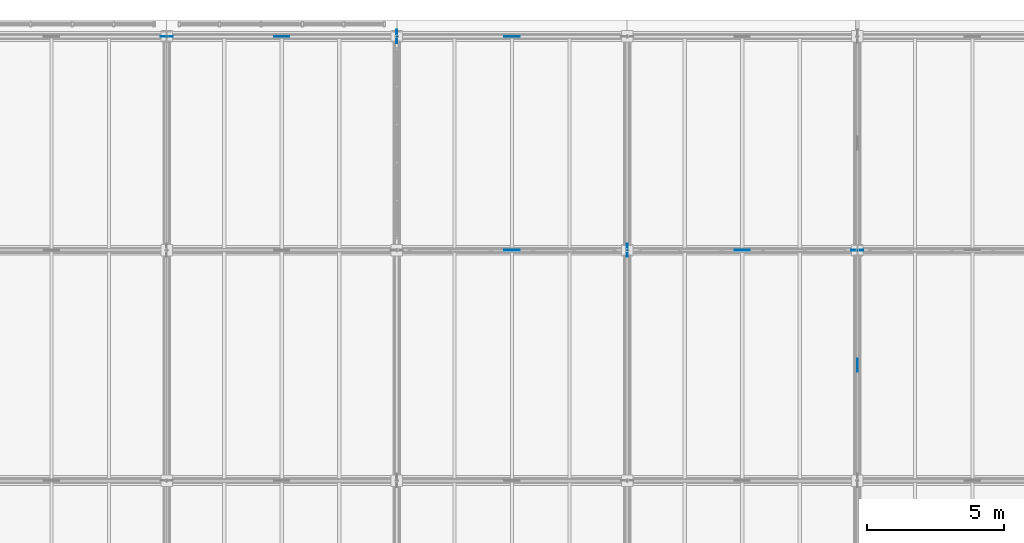
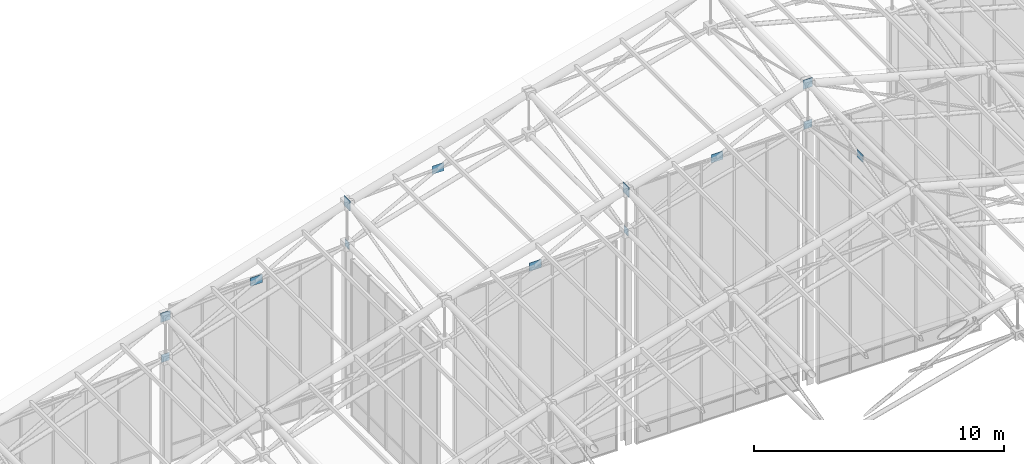
# One storey, part 125 of 144: 13 plates.
"""IFC4 building model written with IfcOpenShell, lengths in metres."""

from ifc_helpers import new_model, si_unit, direction, frame, origin, origin_2d, place, context, subcontext, project, spatial, rectangle, extrude, material, layer, layer_set, type_object, element, save


model = new_model("IFC4")

# Units and contexts
model_context = context("Model", 3, precision=1e-05, world=origin(), true_north=direction((0.0, 1.0)))
body_context = subcontext(model_context, "Body", "Model", "MODEL_VIEW")
ifc_project = project(units=[si_unit("LENGTHUNIT", "METRE"), si_unit("AREAUNIT", "SQUARE_METRE"), si_unit("VOLUMEUNIT", "CUBIC_METRE"), si_unit("PLANEANGLEUNIT", "RADIAN"), si_unit("MASSUNIT", "GRAM", prefix="KILO")], contexts=[model_context])

# Site, building, storey
site_placement = place(None, origin())
site = spatial("IfcSite", under=ifc_project, at=site_placement, CompositionType="ELEMENT")
building_placement = place(site_placement, origin())
building = spatial("IfcBuilding", under=site, at=building_placement, Name="Zayran Congress Hotel", CompositionType="ELEMENT")
storey_placement = place(building_placement, frame((0.0, 0.0, 19.199951171875)))
storey = spatial("IfcBuildingStorey", under=building, at=storey_placement, Name="L04", CompositionType="ELEMENT", Elevation=19.199951171875)

# Plates
ifc_material = material(Name="Steel S355", Category="steel")
ifc_layer_1 = layer(ifc_material, 0.02490234375)
ifc_layer_set_1 = layer_set([ifc_layer_1], Name="Steel S355")
plate_type_1 = type_object("IfcPlateType", Name="TP-SN-CP1", PredefinedType="USERDEFINED", material=ifc_layer_set_1)
for number, where, z_axis, x_axis, name in (
    (1, (25.199951171875, 117.39990234375, 7.08203125), (0.0, 0.0, 1.0), (1.0, 0.0, 0.0), "Space Frame Node Cap Plate 21"),
    (2, (50.39990234375, 109.60009765625, 14.382080078125), (0.0, 0.0, 1.0), (1.0, 0.0, 0.0), "Space Frame Node Cap Plate 41"),
):
    element("IfcPlate", number, at=place(storey_placement, frame(where, z_axis=z_axis, x_axis=x_axis)), inside=storey, type_object=plate_type_1, Name=name, ObjectType="GUSSET_PLATE", PredefinedType="USERDEFINED", context=body_context, shape_type="SweptSolid", body=[
        extrude(rectangle(XDim=0.43994140625, YDim=0.02490234375, at=origin_2d()), origin(), (0.0, 0.0, 1.0), 0.43994140625),
    ])
ifc_layer_2 = layer(ifc_material, 0.02490234375)
ifc_layer_set_2 = layer_set([ifc_layer_2], Name="Steel S355")
plate_type_2 = type_object("IfcPlateType", Name="TP-SN-CP2", PredefinedType="USERDEFINED", material=ifc_layer_set_2)
for number, where, z_axis, x_axis, name in (
    (3, (25.199951171875, 117.39990234375, 5.110107421875), (0.0, 0.0, 1.0), (1.0, 0.0, 0.0), "Space Frame Node Cap Plate 98"),
    (4, (50.39990234375, 109.60009765625, 12.41015625), (0.0, 0.0, 1.0), (1.0, 0.0, 0.0), "Space Frame Node Cap Plate 118"),
):
    element("IfcPlate", number, at=place(storey_placement, frame(where, z_axis=z_axis, x_axis=x_axis)), inside=storey, type_object=plate_type_2, Name=name, ObjectType="GUSSET_PLATE", PredefinedType="USERDEFINED", context=body_context, shape_type="SweptSolid", body=[
        extrude(rectangle(XDim=0.3798828125, YDim=0.02490234375, at=origin_2d()), origin(), (0.0, 0.0, 1.0), 0.3798828125),
    ])
ifc_layer_3 = layer(ifc_material, 0.02001953125)
ifc_layer_set_3 = layer_set([ifc_layer_3], Name="Steel S355")
plate_type_3 = type_object("IfcPlateType", Name="TP-SN-CP3", PredefinedType="USERDEFINED", material=ifc_layer_set_3)
for number, where, z_axis, x_axis, name in (
    (5, (33.60009765625, 117.39990234375, 7.72998046875), (0.0, 0.0, 1.0), (0.0, 1.0, 0.0), "Space Frame Node Cap Plate 105"),
    (6, (42.0, 109.60009765625, 10.18017578125), (0.0, 0.0, 1.0), (0.0, 1.0, 0.0), "Space Frame Node Cap Plate 111"),
):
    element("IfcPlate", number, at=place(storey_placement, frame(where, z_axis=z_axis, x_axis=x_axis)), inside=storey, type_object=plate_type_3, Name=name, ObjectType="GUSSET_PLATE", PredefinedType="USERDEFINED", context=body_context, shape_type="SweptSolid", body=[
        extrude(rectangle(XDim=0.340087890625, YDim=0.02001953125, at=origin_2d()), origin(), (0.0, 0.0, 1.0), 0.340087890625),
    ])
ifc_layer_4 = layer(ifc_material, 0.028076171875)
ifc_layer_set_4 = layer_set([ifc_layer_4], Name="Steel S355")
plate_type_4 = type_object("IfcPlateType", Name="TP-SN-CP4", PredefinedType="USERDEFINED", material=ifc_layer_set_4)
for number, where, z_axis, x_axis, name in (
    (7, (33.60009765625, 117.39990234375, 9.662109375), (0.0, 0.0, 1.0), (0.0, 1.0, 0.0), "Space Frame Node Cap Plate 28"),
    (8, (42.0, 109.60009765625, 12.112060546875), (0.0, 0.0, 1.0), (0.0, 1.0, 0.0), "Space Frame Node Cap Plate 34"),
):
    element("IfcPlate", number, at=place(storey_placement, frame(where, z_axis=z_axis, x_axis=x_axis)), inside=storey, type_object=plate_type_4, Name=name, ObjectType="GUSSET_PLATE", PredefinedType="USERDEFINED", context=body_context, shape_type="SweptSolid", body=[
        extrude(rectangle(XDim=0.47998046875, YDim=0.028076171875, at=origin_2d()), origin(), (0.0, 0.0, 1.0), 0.47998046875),
    ])
ifc_layer_5 = layer(ifc_material, 0.02490234375)
ifc_layer_set_5 = layer_set([ifc_layer_5], Name="Steel S355")
plate_type_5 = type_object("IfcPlateType", Name="TP-GS-01", PredefinedType="USERDEFINED", material=ifc_layer_set_5)
for number, where, z_axis, x_axis, name in (
    (9, (29.39990234375, 117.39990234375, 7.401123046875), (0.0, 0.0, 1.0), (1.0, 0.0, 0.0), "V1 Brace Crossing Gusset Plate 27"),
    (10, (37.800048828125, 109.60009765625, 9.926025390625), (0.0, 0.0, 1.0), (1.0, 0.0, 0.0), "V1 Brace Crossing Gusset Plate 33"),
    (11, (37.800048828125, 117.39990234375, 9.926025390625), (0.0, 0.0, 1.0), (1.0, 0.0, 0.0), "V1 Brace Crossing Gusset Plate 34"),
    (12, (46.199951171875, 109.60009765625, 12.276123046875), (0.0, 0.0, 1.0), (1.0, 0.0, 0.0), "V1 Brace Crossing Gusset Plate 40"),
):
    element("IfcPlate", number, at=place(storey_placement, frame(where, z_axis=z_axis, x_axis=x_axis)), inside=storey, type_object=plate_type_5, Name=name, ObjectType="GUSSET_PLATE", PredefinedType="USERDEFINED", context=body_context, shape_type="SweptSolid", body=[
        extrude(rectangle(XDim=0.550048828125, YDim=0.02490234375, at=origin_2d()), origin(), (0.0, 0.0, 1.0), 0.39990234375),
    ])
ifc_layer_6 = layer(ifc_material, 0.02001953125)
ifc_layer_set_6 = layer_set([ifc_layer_6], Name="Steel S355")
plate_type_6 = type_object("IfcPlateType", Name="TP-GS-02", PredefinedType="USERDEFINED", material=ifc_layer_set_6)
plate_placement = place(storey_placement, frame((50.39990234375, 105.39990234375, 13.4208984375), z_axis=(0.0, 0.0, 1.0), x_axis=(0.0, 1.0, 0.0)))
element("IfcPlate", 13, at=plate_placement, inside=storey, type_object=plate_type_6, Name="V1 Brace Crossing Gusset Plate 51", ObjectType="GUSSET_PLATE", PredefinedType="USERDEFINED", context=body_context, shape_type="SweptSolid", body=[
    extrude(rectangle(XDim=0.47998046875, YDim=0.02001953125, at=origin_2d()), origin(), (0.0, 0.0, 1.0), 0.360107421875),
])

save(model, "model.ifc")
